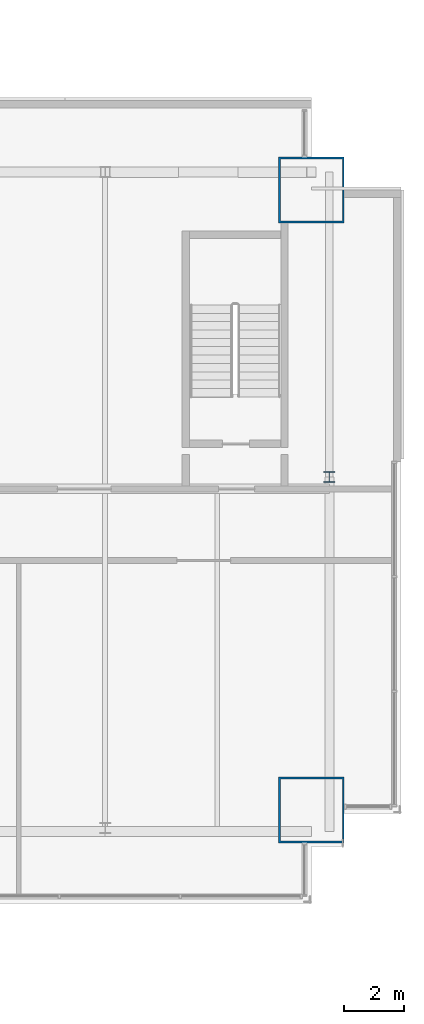
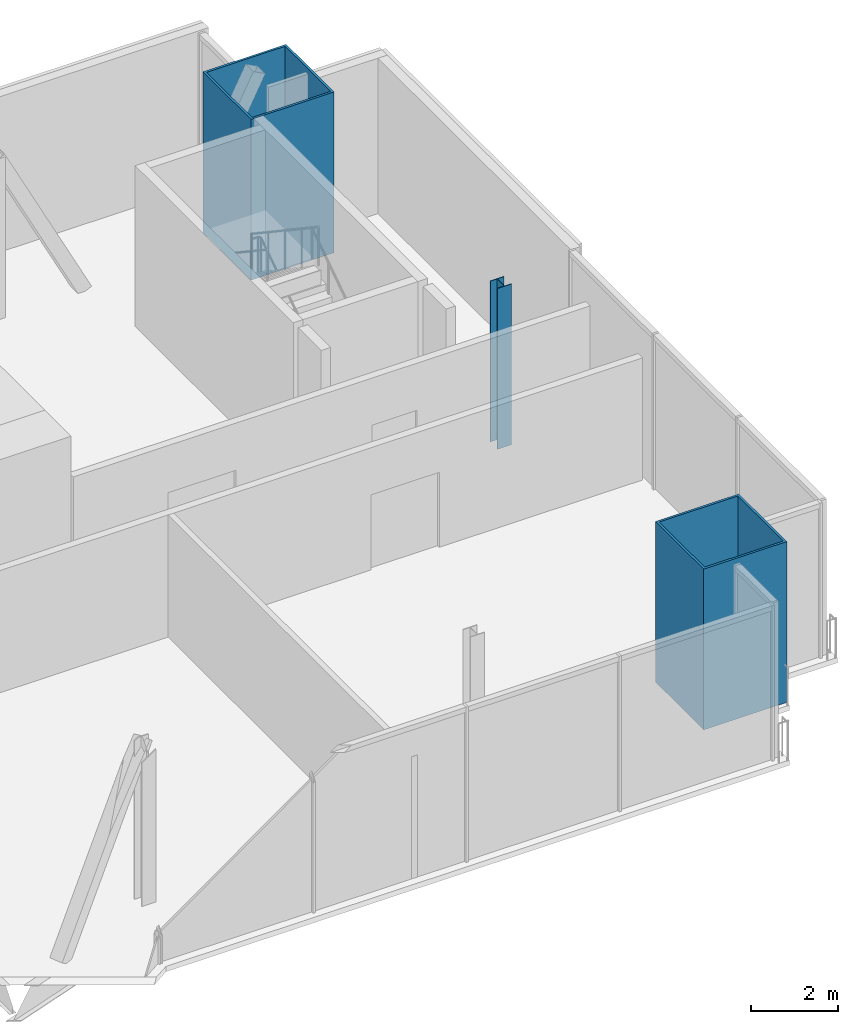
# One storey, part 4 of 18: 3 columns.
"""IFC4 building model written with IfcOpenShell, lengths in metres."""

from ifc_helpers import new_model, si_unit, direction, frame, origin, origin_2d, place, context, subcontext, project, spatial, hollow_rectangle, i_section, extrude, material, material_profile, profile_set, type_object, element, save


model = new_model("IFC4")

# Units and contexts
model_context = context("Model", 3, precision=1e-05, world=origin(), true_north=direction((0.0, 1.0)))
body_context = subcontext(model_context, "Body", "Model", "MODEL_VIEW")
ifc_project = project(units=[si_unit("LENGTHUNIT", "METRE"), si_unit("AREAUNIT", "SQUARE_METRE"), si_unit("VOLUMEUNIT", "CUBIC_METRE"), si_unit("PLANEANGLEUNIT", "RADIAN"), si_unit("MASSUNIT", "GRAM", prefix="KILO")], contexts=[model_context])

# Site, building, storey
site_placement = place(None, origin())
site = spatial("IfcSite", under=ifc_project, at=site_placement, CompositionType="ELEMENT")
building_placement = place(site_placement, origin())
building = spatial("IfcBuilding", under=site, at=building_placement, Name="Bicima Exchange Tower", CompositionType="ELEMENT")
storey_placement = place(building_placement, frame((0.0, 0.0, 302.0)))
storey = spatial("IfcBuildingStorey", under=building, at=storey_placement, Name="L68", CompositionType="ELEMENT", Elevation=302.0)

# Columns
ifc_material_1 = material(Name="Steel ASTM A572 Gr 50", Category="steel")
ifc_material_profile_1 = material_profile(ifc_material_1, hollow_rectangle(XDim=2.199951171875, YDim=2.199951171875, WallThickness=0.06005859375, at=origin_2d()))
ifc_profile_set_1 = profile_set([ifc_material_profile_1], Name="Steel ASTM A572 Gr 50")
column_type_1 = type_object("IfcColumnType", Name="Mega column BOX 2200x2200x60", PredefinedType="COLUMN", material=ifc_profile_set_1)
for number, where, z_axis, x_axis, name in (
    (1, (33.0, -23.75, 0.0), (0.0, 0.0, 1.0), (1.0, 0.0, 0.0), "Mega column mega+33.0f"),
    (2, (33.0, -3.0, 0.0), (0.0, 0.0, 1.0), (1.0, 0.0, 0.0), "Mega column mega+33.0r"),
):
    element("IfcColumn", number, at=place(storey_placement, frame(where, z_axis=z_axis, x_axis=x_axis)), inside=storey, type_object=column_type_1, Name=name, PredefinedType="COLUMN", context=body_context, shape_type="SweptSolid", body=[
        extrude(hollow_rectangle(XDim=2.199951171875, YDim=2.199951171875, WallThickness=0.06005859375, at=origin_2d()), origin(), (0.0, 0.0, 1.0), 4.5),
    ])
ifc_material_2 = material(Name="Steel ASTM A992 Gr 50", Category="steel")
ifc_material_profile_2 = material_profile(ifc_material_2, i_section(OverallWidth=0.368408203125, OverallDepth=0.355712890625, WebThickness=0.01123046875, FlangeThickness=0.01806640625, at=origin_2d()))
ifc_profile_set_2 = profile_set([ifc_material_profile_2], Name="Steel ASTM A992 Gr 50")
column_type_2 = type_object("IfcColumnType", Name="Perimeter column W14x90", PredefinedType="COLUMN", material=ifc_profile_set_2)
column_placement = place(storey_placement, frame((33.60009765625, -12.60009765625, 0.0), z_axis=(0.0, 0.0, 1.0), x_axis=(1.0, 0.0, 0.0)))
element("IfcColumn", 3, at=column_placement, inside=storey, type_object=column_type_2, Name="End column end+33.6e", PredefinedType="COLUMN", context=body_context, shape_type="SweptSolid", body=[
    extrude(i_section(OverallWidth=0.368408203125, OverallDepth=0.355712890625, WebThickness=0.01123046875, FlangeThickness=0.01806640625, at=origin_2d()), origin(), (0.0, 0.0, 1.0), 4.5),
])

save(model, "model.ifc")
